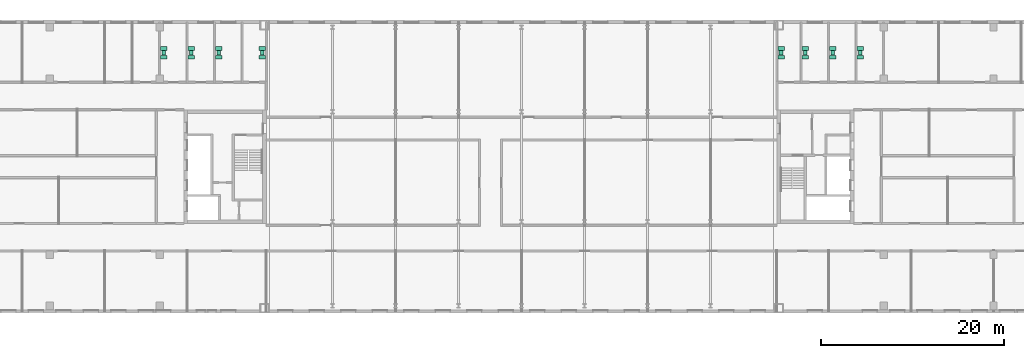
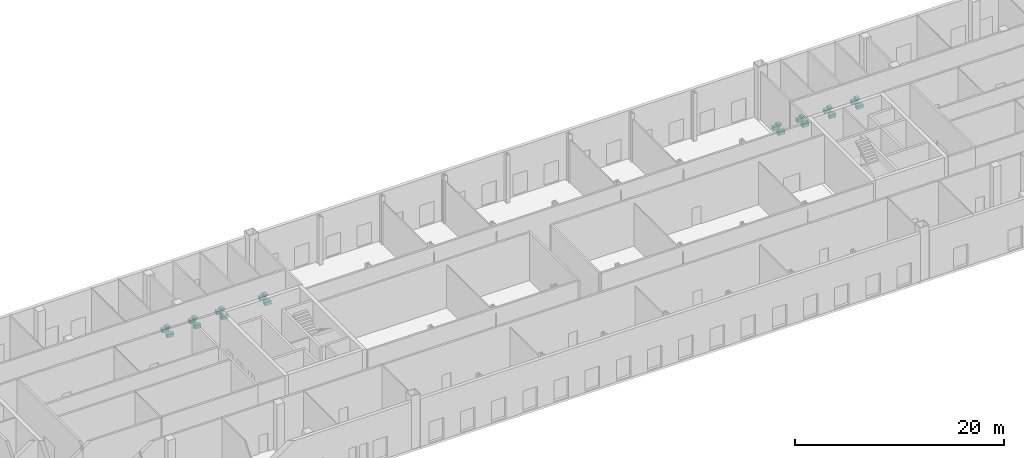
# One storey, part 20 of 20: 24 sanitary terminals.
"""IFC4 building model written with IfcOpenShell, lengths in metres."""

from ifc_helpers import new_model, si_unit, direction, frame, origin, origin_2d, place, context, subcontext, project, spatial, rectangle, extrude, element, save


model = new_model("IFC4")

# Units and contexts
model_context = context("Model", 3, precision=1e-05, world=origin(), true_north=direction((0.0, 1.0)))
body_context = subcontext(model_context, "Body", "Model", "MODEL_VIEW")
ifc_project = project(units=[si_unit("LENGTHUNIT", "METRE"), si_unit("AREAUNIT", "SQUARE_METRE"), si_unit("VOLUMEUNIT", "CUBIC_METRE"), si_unit("PLANEANGLEUNIT", "RADIAN"), si_unit("MASSUNIT", "GRAM", prefix="KILO")], contexts=[model_context])

# Site, building, storey
site_placement = place(None, origin())
site = spatial("IfcSite", under=ifc_project, at=site_placement, CompositionType="ELEMENT")
building_placement = place(site_placement, origin())
building = spatial("IfcBuilding", under=site, at=building_placement, Name="Tuart Gate Housing", CompositionType="ELEMENT")
storey_placement = place(building_placement, frame((0.0, 0.0, 215.199951171875)))
storey = spatial("IfcBuildingStorey", under=building, at=storey_placement, Name="L61", CompositionType="ELEMENT", Elevation=215.199951171875)

# Sanitary terminals
for number, where, z_axis, x_axis, name in (
    (1, (64.449951171875, 81.945068359375, 0.0), (0.0, 0.0, 1.0), (1.0, 0.0, 0.0), "Water closet"),
    (2, (64.449951171875, 82.89501953125, 0.0), (0.0, 0.0, 1.0), (1.0, 0.0, 0.0), "Water closet"),
):
    element("IfcSanitaryTerminal", number, at=place(storey_placement, frame(where, z_axis=z_axis, x_axis=x_axis)), inside=storey, Name=name, PredefinedType="TOILETPAN", context=body_context, shape_type="SweptSolid", body=[
        extrude(rectangle(XDim=0.699951171875, YDim=0.39990234375, at=origin_2d()), origin(), (0.0, 0.0, 1.0), 0.39990234375),
    ])
sanitary_terminal_1_placement = place(storey_placement, frame((64.449951171875, 82.419921875, 0.75), z_axis=(0.0, 0.0, 1.0), x_axis=(1.0, 0.0, 0.0)))
element("IfcSanitaryTerminal", 3, at=sanitary_terminal_1_placement, inside=storey, Name="Wash basin", PredefinedType="WASHHANDBASIN", context=body_context, shape_type="SweptSolid", body=[
    extrude(rectangle(XDim=0.39990234375, YDim=0.5, at=origin_2d()), origin(), (0.0, 0.0, 1.0), 0.199951171875),
])
for number, where, z_axis, x_axis, name in (
    (4, (67.449951171875, 81.945068359375, 0.0), (0.0, 0.0, 1.0), (1.0, 0.0, 0.0), "Water closet"),
    (5, (67.449951171875, 82.89501953125, 0.0), (0.0, 0.0, 1.0), (1.0, 0.0, 0.0), "Water closet"),
):
    element("IfcSanitaryTerminal", number, at=place(storey_placement, frame(where, z_axis=z_axis, x_axis=x_axis)), inside=storey, Name=name, PredefinedType="TOILETPAN", context=body_context, shape_type="SweptSolid", body=[
        extrude(rectangle(XDim=0.699951171875, YDim=0.39990234375, at=origin_2d()), origin(), (0.0, 0.0, 1.0), 0.39990234375),
    ])
sanitary_terminal_2_placement = place(storey_placement, frame((67.449951171875, 82.419921875, 0.75), z_axis=(0.0, 0.0, 1.0), x_axis=(1.0, 0.0, 0.0)))
element("IfcSanitaryTerminal", 6, at=sanitary_terminal_2_placement, inside=storey, Name="Wash basin", PredefinedType="WASHHANDBASIN", context=body_context, shape_type="SweptSolid", body=[
    extrude(rectangle(XDim=0.39990234375, YDim=0.5, at=origin_2d()), origin(), (0.0, 0.0, 1.0), 0.199951171875),
])
for number, where, z_axis, x_axis, name in (
    (7, (70.449951171875, 81.945068359375, 0.0), (0.0, 0.0, 1.0), (1.0, 0.0, 0.0), "Water closet"),
    (8, (70.449951171875, 82.89501953125, 0.0), (0.0, 0.0, 1.0), (1.0, 0.0, 0.0), "Water closet"),
):
    element("IfcSanitaryTerminal", number, at=place(storey_placement, frame(where, z_axis=z_axis, x_axis=x_axis)), inside=storey, Name=name, PredefinedType="TOILETPAN", context=body_context, shape_type="SweptSolid", body=[
        extrude(rectangle(XDim=0.699951171875, YDim=0.39990234375, at=origin_2d()), origin(), (0.0, 0.0, 1.0), 0.39990234375),
    ])
sanitary_terminal_3_placement = place(storey_placement, frame((70.449951171875, 82.419921875, 0.75), z_axis=(0.0, 0.0, 1.0), x_axis=(1.0, 0.0, 0.0)))
element("IfcSanitaryTerminal", 9, at=sanitary_terminal_3_placement, inside=storey, Name="Wash basin", PredefinedType="WASHHANDBASIN", context=body_context, shape_type="SweptSolid", body=[
    extrude(rectangle(XDim=0.39990234375, YDim=0.5, at=origin_2d()), origin(), (0.0, 0.0, 1.0), 0.199951171875),
])
for number, where, z_axis, x_axis, name in (
    (10, (75.18994140625, 81.945068359375, 0.0), (0.0, 0.0, 1.0), (1.0, 0.0, 0.0), "Water closet"),
    (11, (75.18994140625, 82.89501953125, 0.0), (0.0, 0.0, 1.0), (1.0, 0.0, 0.0), "Water closet"),
):
    element("IfcSanitaryTerminal", number, at=place(storey_placement, frame(where, z_axis=z_axis, x_axis=x_axis)), inside=storey, Name=name, PredefinedType="TOILETPAN", context=body_context, shape_type="SweptSolid", body=[
        extrude(rectangle(XDim=0.699951171875, YDim=0.39990234375, at=origin_2d()), origin(), (0.0, 0.0, 1.0), 0.39990234375),
    ])
sanitary_terminal_4_placement = place(storey_placement, frame((75.18994140625, 82.419921875, 0.75), z_axis=(0.0, 0.0, 1.0), x_axis=(1.0, 0.0, 0.0)))
element("IfcSanitaryTerminal", 12, at=sanitary_terminal_4_placement, inside=storey, Name="Wash basin", PredefinedType="WASHHANDBASIN", context=body_context, shape_type="SweptSolid", body=[
    extrude(rectangle(XDim=0.39990234375, YDim=0.5, at=origin_2d()), origin(), (0.0, 0.0, 1.0), 0.199951171875),
])
for number, where, z_axis, x_axis, name in (
    (13, (131.81005859375, 81.945068359375, 0.0), (0.0, 0.0, 1.0), (1.0, 0.0, 0.0), "Water closet"),
    (14, (131.81005859375, 82.89501953125, 0.0), (0.0, 0.0, 1.0), (1.0, 0.0, 0.0), "Water closet"),
):
    element("IfcSanitaryTerminal", number, at=place(storey_placement, frame(where, z_axis=z_axis, x_axis=x_axis)), inside=storey, Name=name, PredefinedType="TOILETPAN", context=body_context, shape_type="SweptSolid", body=[
        extrude(rectangle(XDim=0.699951171875, YDim=0.39990234375, at=origin_2d()), origin(), (0.0, 0.0, 1.0), 0.39990234375),
    ])
sanitary_terminal_5_placement = place(storey_placement, frame((131.81005859375, 82.419921875, 0.75), z_axis=(0.0, 0.0, 1.0), x_axis=(1.0, 0.0, 0.0)))
element("IfcSanitaryTerminal", 15, at=sanitary_terminal_5_placement, inside=storey, Name="Wash basin", PredefinedType="WASHHANDBASIN", context=body_context, shape_type="SweptSolid", body=[
    extrude(rectangle(XDim=0.39990234375, YDim=0.5, at=origin_2d()), origin(), (0.0, 0.0, 1.0), 0.199951171875),
])
for number, where, z_axis, x_axis, name in (
    (16, (134.449951171875, 81.945068359375, 0.0), (0.0, 0.0, 1.0), (1.0, 0.0, 0.0), "Water closet"),
    (17, (134.449951171875, 82.89501953125, 0.0), (0.0, 0.0, 1.0), (1.0, 0.0, 0.0), "Water closet"),
):
    element("IfcSanitaryTerminal", number, at=place(storey_placement, frame(where, z_axis=z_axis, x_axis=x_axis)), inside=storey, Name=name, PredefinedType="TOILETPAN", context=body_context, shape_type="SweptSolid", body=[
        extrude(rectangle(XDim=0.699951171875, YDim=0.39990234375, at=origin_2d()), origin(), (0.0, 0.0, 1.0), 0.39990234375),
    ])
sanitary_terminal_6_placement = place(storey_placement, frame((134.449951171875, 82.419921875, 0.75), z_axis=(0.0, 0.0, 1.0), x_axis=(1.0, 0.0, 0.0)))
element("IfcSanitaryTerminal", 18, at=sanitary_terminal_6_placement, inside=storey, Name="Wash basin", PredefinedType="WASHHANDBASIN", context=body_context, shape_type="SweptSolid", body=[
    extrude(rectangle(XDim=0.39990234375, YDim=0.5, at=origin_2d()), origin(), (0.0, 0.0, 1.0), 0.199951171875),
])
for number, where, z_axis, x_axis, name in (
    (19, (137.449951171875, 81.945068359375, 0.0), (0.0, 0.0, 1.0), (1.0, 0.0, 0.0), "Water closet"),
    (20, (137.449951171875, 82.89501953125, 0.0), (0.0, 0.0, 1.0), (1.0, 0.0, 0.0), "Water closet"),
):
    element("IfcSanitaryTerminal", number, at=place(storey_placement, frame(where, z_axis=z_axis, x_axis=x_axis)), inside=storey, Name=name, PredefinedType="TOILETPAN", context=body_context, shape_type="SweptSolid", body=[
        extrude(rectangle(XDim=0.699951171875, YDim=0.39990234375, at=origin_2d()), origin(), (0.0, 0.0, 1.0), 0.39990234375),
    ])
sanitary_terminal_7_placement = place(storey_placement, frame((137.449951171875, 82.419921875, 0.75), z_axis=(0.0, 0.0, 1.0), x_axis=(1.0, 0.0, 0.0)))
element("IfcSanitaryTerminal", 21, at=sanitary_terminal_7_placement, inside=storey, Name="Wash basin", PredefinedType="WASHHANDBASIN", context=body_context, shape_type="SweptSolid", body=[
    extrude(rectangle(XDim=0.39990234375, YDim=0.5, at=origin_2d()), origin(), (0.0, 0.0, 1.0), 0.199951171875),
])
for number, where, z_axis, x_axis, name in (
    (22, (140.449951171875, 81.945068359375, 0.0), (0.0, 0.0, 1.0), (1.0, 0.0, 0.0), "Water closet"),
    (23, (140.449951171875, 82.89501953125, 0.0), (0.0, 0.0, 1.0), (1.0, 0.0, 0.0), "Water closet"),
):
    element("IfcSanitaryTerminal", number, at=place(storey_placement, frame(where, z_axis=z_axis, x_axis=x_axis)), inside=storey, Name=name, PredefinedType="TOILETPAN", context=body_context, shape_type="SweptSolid", body=[
        extrude(rectangle(XDim=0.699951171875, YDim=0.39990234375, at=origin_2d()), origin(), (0.0, 0.0, 1.0), 0.39990234375),
    ])
sanitary_terminal_8_placement = place(storey_placement, frame((140.449951171875, 82.419921875, 0.75), z_axis=(0.0, 0.0, 1.0), x_axis=(1.0, 0.0, 0.0)))
element("IfcSanitaryTerminal", 24, at=sanitary_terminal_8_placement, inside=storey, Name="Wash basin", PredefinedType="WASHHANDBASIN", context=body_context, shape_type="SweptSolid", body=[
    extrude(rectangle(XDim=0.39990234375, YDim=0.5, at=origin_2d()), origin(), (0.0, 0.0, 1.0), 0.199951171875),
])

save(model, "model.ifc")
